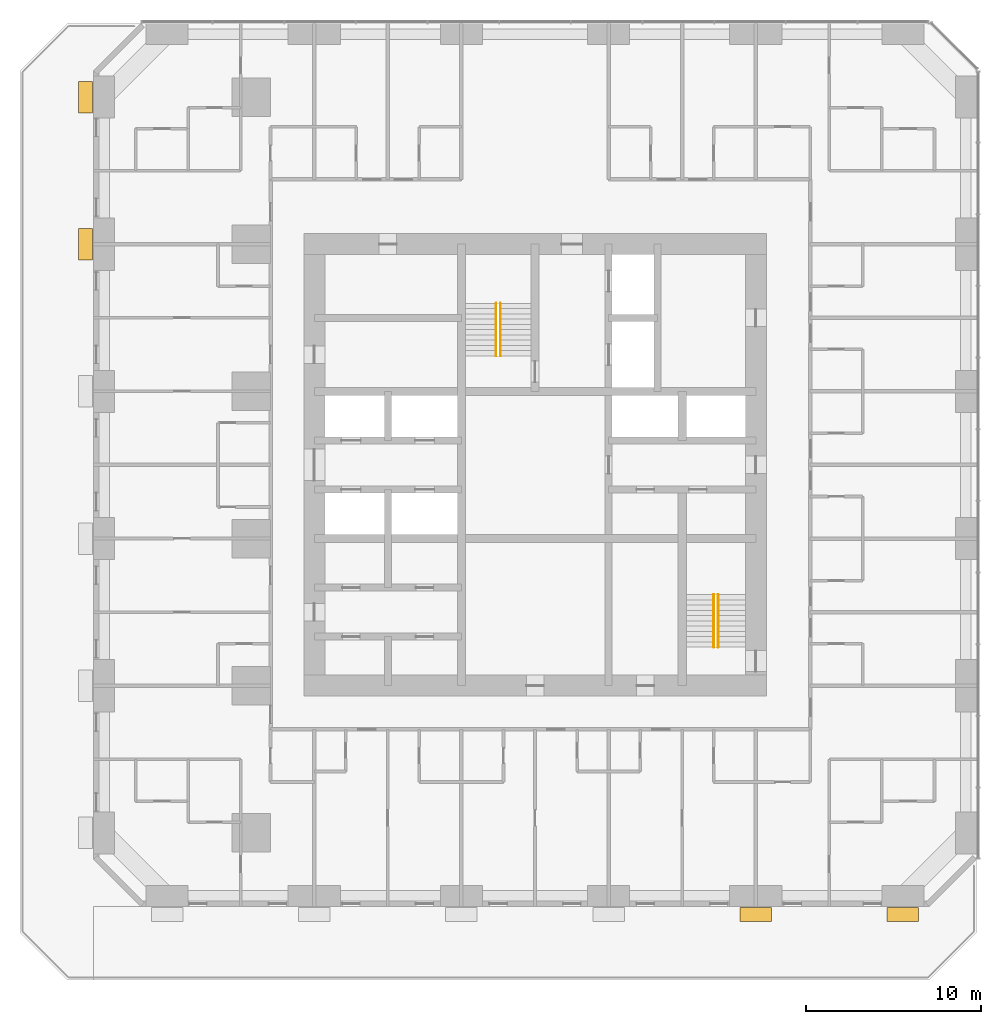
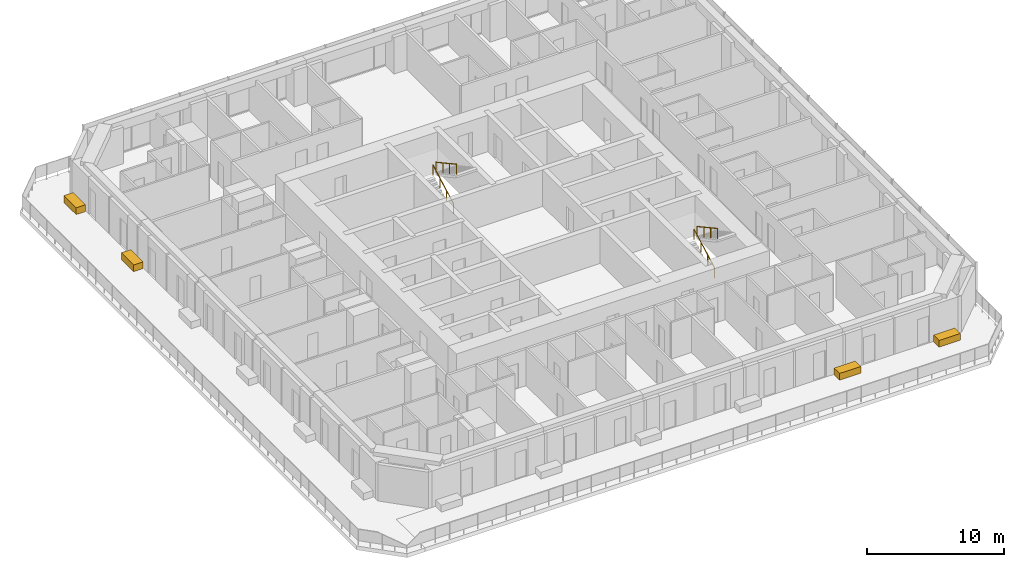
# One storey, part 14 of 14: 4 coverings, 4 railings.
"""IFC4 building model written with IfcOpenShell, lengths in metres."""

from ifc_helpers import new_model, si_unit, direction, frame, origin, origin_2d, place, context, subcontext, project, spatial, rectangle, circle, extrude, material, type_object, element, save


model = new_model("IFC4")

# Units and contexts
model_context = context("Model", 3, precision=1e-05, world=origin(), true_north=direction((0.0, 1.0)))
body_context = subcontext(model_context, "Body", "Model", "MODEL_VIEW")
ifc_project = project(units=[si_unit("LENGTHUNIT", "METRE"), si_unit("AREAUNIT", "SQUARE_METRE"), si_unit("VOLUMEUNIT", "CUBIC_METRE"), si_unit("PLANEANGLEUNIT", "RADIAN"), si_unit("MASSUNIT", "GRAM", prefix="KILO")], contexts=[model_context])

# Site, building, storey
site_placement = place(None, origin())
site = spatial("IfcSite", under=ifc_project, at=site_placement, CompositionType="ELEMENT")
building_placement = place(site_placement, origin())
building = spatial("IfcBuilding", under=site, at=building_placement, Name="Dunama Terrace Hotel", CompositionType="ELEMENT")
storey_placement = place(building_placement, frame((0.0, 0.0, 159.0)))
storey = spatial("IfcBuildingStorey", under=building, at=storey_placement, Name="L40", CompositionType="ELEMENT", Elevation=159.0)

# Railings
ifc_material_1 = material(Name="Stainless steel handrail", Category="steel")
railing_type = type_object("IfcRailingType", Name="Stair handrail 900", PredefinedType="HANDRAIL", material=ifc_material_1)
railing_1_placement = place(storey_placement, frame((27.175048828125, 35.625, 0.16357421875)))
element("IfcRailing", 1, at=railing_1_placement, inside=storey, type_object=railing_type, Name="Handrail ST1 L40", PredefinedType="HANDRAIL", context=body_context, shape_type="SweptSolid", body=[
    extrude(circle(Radius=0.02392578125, at=origin_2d()), frame((0.0, 0.0, 0.8759765625), z_axis=(0.0, 0.877881921179, 0.478877158013), x_axis=(-1.0, 0.0, 0.0)), (0.0, 0.0, 1.0), 3.417236328125),
    extrude(circle(Radius=0.02099609375, at=origin_2d()), origin(), (0.0, 0.0, 1.0), 0.851806640625),
    extrude(circle(Radius=0.02099609375, at=origin_2d()), frame((0.0, 1.0, 0.54541015625)), (0.0, 0.0, 1.0), 0.851806640625),
    extrude(circle(Radius=0.02099609375, at=origin_2d()), frame((0.0, 2.0, 1.091064453125)), (0.0, 0.0, 1.0), 0.851806640625),
    extrude(circle(Radius=0.02099609375, at=origin_2d()), frame((0.0, 3.0, 1.636474609375)), (0.0, 0.0, 1.0), 0.851806640625),
])
railing_2_placement = place(storey_placement, frame((27.425048828125, 38.625, 1.963623046875)))
element("IfcRailing", 2, at=railing_2_placement, inside=storey, type_object=railing_type, Name="Handrail ST1 L40", PredefinedType="HANDRAIL", context=body_context, shape_type="SweptSolid", body=[
    extrude(circle(Radius=0.02392578125, at=origin_2d()), frame((0.0, 0.0, 0.8759765625), z_axis=(0.0, -0.877881921179, 0.478877158013), x_axis=(1.0, 0.0, 0.0)), (0.0, 0.0, 1.0), 3.417236328125),
    extrude(circle(Radius=0.02099609375, at=origin_2d()), origin(), (0.0, 0.0, 1.0), 0.851806640625),
    extrude(circle(Radius=0.02099609375, at=origin_2d()), frame((0.0, -1.0, 0.54541015625)), (0.0, 0.0, 1.0), 0.851806640625),
    extrude(circle(Radius=0.02099609375, at=origin_2d()), frame((0.0, -2.0, 1.091064453125)), (0.0, 0.0, 1.0), 0.851806640625),
    extrude(circle(Radius=0.02099609375, at=origin_2d()), frame((0.0, -3.0, 1.636474609375)), (0.0, 0.0, 1.0), 0.851806640625),
])
railing_3_placement = place(storey_placement, frame((39.60009765625, 19.0, 0.16357421875)))
element("IfcRailing", 3, at=railing_3_placement, inside=storey, type_object=railing_type, Name="Handrail ST2 L40", PredefinedType="HANDRAIL", context=body_context, shape_type="SweptSolid", body=[
    extrude(circle(Radius=0.02392578125, at=origin_2d()), frame((0.0, 0.0, 0.8759765625), z_axis=(0.0, 0.877881921179, 0.478877158013), x_axis=(-1.0, 0.0, 0.0)), (0.0, 0.0, 1.0), 3.417236328125),
    extrude(circle(Radius=0.02099609375, at=origin_2d()), origin(), (0.0, 0.0, 1.0), 0.851806640625),
    extrude(circle(Radius=0.02099609375, at=origin_2d()), frame((0.0, 1.0, 0.54541015625)), (0.0, 0.0, 1.0), 0.851806640625),
    extrude(circle(Radius=0.02099609375, at=origin_2d()), frame((0.0, 2.0, 1.091064453125)), (0.0, 0.0, 1.0), 0.851806640625),
    extrude(circle(Radius=0.02099609375, at=origin_2d()), frame((0.0, 3.0, 1.636474609375)), (0.0, 0.0, 1.0), 0.851806640625),
])
railing_4_placement = place(storey_placement, frame((39.85009765625, 22.0, 1.963623046875)))
element("IfcRailing", 4, at=railing_4_placement, inside=storey, type_object=railing_type, Name="Handrail ST2 L40", PredefinedType="HANDRAIL", context=body_context, shape_type="SweptSolid", body=[
    extrude(circle(Radius=0.02392578125, at=origin_2d()), frame((0.0, 0.0, 0.8759765625), z_axis=(0.0, -0.877881921179, 0.478877158013), x_axis=(1.0, 0.0, 0.0)), (0.0, 0.0, 1.0), 3.417236328125),
    extrude(circle(Radius=0.02099609375, at=origin_2d()), origin(), (0.0, 0.0, 1.0), 0.851806640625),
    extrude(circle(Radius=0.02099609375, at=origin_2d()), frame((0.0, -1.0, 0.54541015625)), (0.0, 0.0, 1.0), 0.851806640625),
    extrude(circle(Radius=0.02099609375, at=origin_2d()), frame((0.0, -2.0, 1.091064453125)), (0.0, 0.0, 1.0), 0.851806640625),
    extrude(circle(Radius=0.02099609375, at=origin_2d()), frame((0.0, -3.0, 1.636474609375)), (0.0, 0.0, 1.0), 0.851806640625),
])

# Coverings
ifc_material_2 = material(Name="Precast concrete planter", Category="concrete")
covering_type = type_object("IfcCoveringType", Name="Terrace planter 600", PredefinedType="USERDEFINED", material=ifc_material_2)
for number, where, z_axis, x_axis, name in (
    (5, (3.75, 42.0, 0.0), (0.0, 0.0, 1.0), (1.0, 0.0, 0.0), "Terrace planter L40"),
    (6, (3.75, 50.39990234375, 0.0), (0.0, 0.0, 1.0), (1.0, 0.0, 0.0), "Terrace planter L40"),
):
    element("IfcCovering", number, at=place(storey_placement, frame(where, z_axis=z_axis, x_axis=x_axis)), inside=storey, type_object=covering_type, Name=name, ObjectType="PLANTER", PredefinedType="USERDEFINED", context=body_context, shape_type="SweptSolid", body=[
        extrude(rectangle(XDim=0.800048828125, YDim=1.800048828125, at=origin_2d()), origin(), (0.0, 0.0, 1.0), 0.60009765625),
    ])
for number, where, z_axis, x_axis, name in (
    (7, (42.0, 3.75, 0.0), (0.0, 0.0, 1.0), (1.0, 0.0, 0.0), "Terrace planter L40"),
    (8, (50.39990234375, 3.75, 0.0), (0.0, 0.0, 1.0), (1.0, 0.0, 0.0), "Terrace planter L40"),
):
    element("IfcCovering", number, at=place(storey_placement, frame(where, z_axis=z_axis, x_axis=x_axis)), inside=storey, type_object=covering_type, Name=name, ObjectType="PLANTER", PredefinedType="USERDEFINED", context=body_context, shape_type="SweptSolid", body=[
        extrude(rectangle(XDim=1.800048828125, YDim=0.800048828125, at=origin_2d()), origin(), (0.0, 0.0, 1.0), 0.60009765625),
    ])

save(model, "model.ifc")
